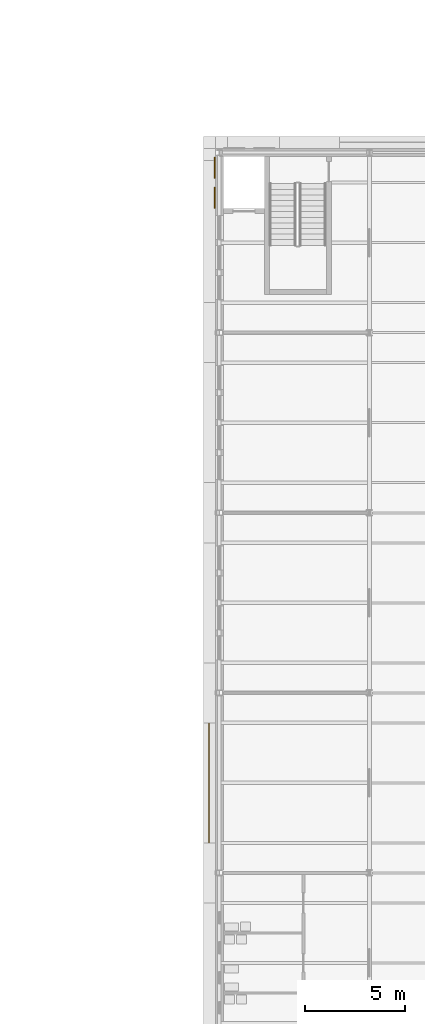
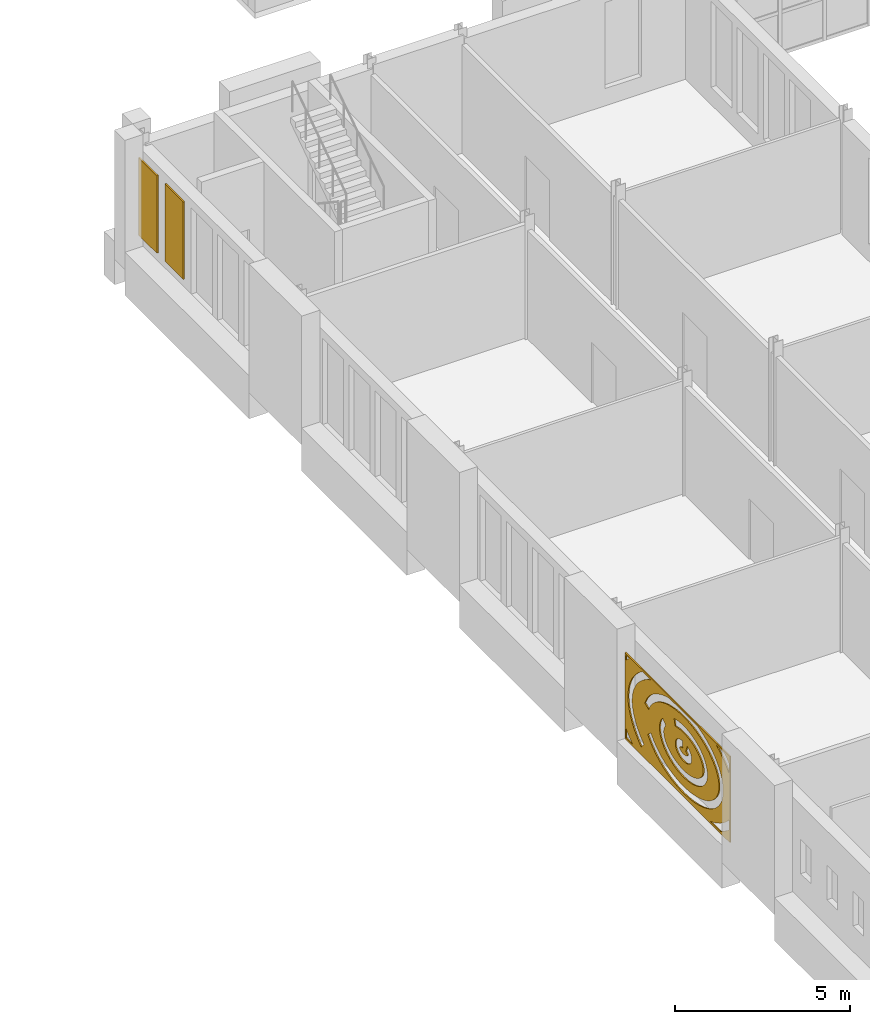
# One storey, part 112 of 134: 3 coverings.
"""IFC4 building model written with IfcOpenShell, lengths in metres."""

from ifc_helpers import new_model, si_unit, direction, frame, origin, place, context, subcontext, project, spatial, polyline, outline, extrude, material, layer, layer_set, type_object, element, save


model = new_model("IFC4")

# Units and contexts
model_context = context("Model", 3, precision=1e-05, world=origin(), true_north=direction((0.0, 1.0)))
body_context = subcontext(model_context, "Body", "Model", "MODEL_VIEW")
ifc_project = project(units=[si_unit("LENGTHUNIT", "METRE"), si_unit("AREAUNIT", "SQUARE_METRE"), si_unit("VOLUMEUNIT", "CUBIC_METRE"), si_unit("PLANEANGLEUNIT", "RADIAN"), si_unit("MASSUNIT", "GRAM", prefix="KILO")], contexts=[model_context])

# Site, building, storey
site_placement = place(None, origin())
site = spatial("IfcSite", under=ifc_project, at=site_placement, CompositionType="ELEMENT")
building_placement = place(site_placement, origin())
building = spatial("IfcBuilding", under=site, at=building_placement, Name="Golden Quay Civic Hall", CompositionType="ELEMENT")
storey_placement = place(building_placement, frame((0.0, 0.0, 5.39990234375)))
storey = spatial("IfcBuildingStorey", under=building, at=storey_placement, Name="L01", CompositionType="ELEMENT", Elevation=5.39990234375)

# Coverings
ifc_material_1 = material(Name="Aluminium, golden anodised, perforated", Category="aluminium")
ifc_layer_1 = layer(ifc_material_1, 0.0400390625)
ifc_layer_set_1 = layer_set([ifc_layer_1], Name="Perforated screen panel 6000 x 3000 x 40")
covering_type_1 = type_object("IfcCoveringType", Name="Perforated screen panel 6000 x 3000 x 40", PredefinedType="CLADDING", material=ifc_layer_set_1)
covering_1_placement = place(storey_placement, frame((53.5, 22.5, 2.10009765625), z_axis=(-1.0, 0.0, 0.0), x_axis=(0.0, -1.0, 0.0)))
element("IfcCovering", 1, at=covering_1_placement, inside=storey, type_object=covering_type_1, Name="Perforated screen panel 6000 x 3000 x 40 L01 7", PredefinedType="CLADDING", context=body_context, shape_type="SweptSolid", body=[
    extrude(outline(polyline([(-3.0, -1.5), (3.0, -1.5), (3.0, 1.5), (-3.0, 1.5), (-3.0, -1.5)]), holes=[polyline([(0.258056640625, 0.16650390625), (0.1943359375, 0.14599609375), (0.162109375, 0.12841796875), (0.139404296875, 0.110595703125), (0.126708984375, 0.095458984375), (0.120849609375, 0.080078125), (0.1259765625, 0.065673828125), (0.1376953125, 0.051025390625), (0.174072265625, 0.0244140625), (0.210205078125, 0.007568359375), (0.277587890625, -0.010498046875), (0.327880859375, -0.015869140625), (0.379150390625, -0.015380859375), (0.45263671875, -0.004150390625), (0.495361328125, 0.009765625), (0.544189453125, 0.035888671875), (0.564453125, 0.05322265625), (0.574951171875, 0.0673828125), (0.5791015625, 0.07861328125), (0.57568359375, 0.09130859375), (0.55810546875, 0.11279296875), (0.5341796875, 0.130859375), (0.4765625, 0.1572265625), (0.562744140625, 0.38232421875), (0.633056640625, 0.351806640625), (0.68798828125, 0.317626953125), (0.742431640625, 0.269287109375), (0.77392578125, 0.22900390625), (0.801513671875, 0.176513671875), (0.816650390625, 0.123291015625), (0.81982421875, 0.064697265625), (0.810302734375, 0.009521484375), (0.797607421875, -0.02587890625), (0.780517578125, -0.05859375), (0.759765625, -0.0888671875), (0.735595703125, -0.1162109375), (0.708984375, -0.14111328125), (0.6572265625, -0.177978515625), (0.581298828125, -0.21533203125), (0.54541015625, -0.22802734375), (0.477294921875, -0.245361328125), (0.3916015625, -0.256103515625), (0.319091796875, -0.256591796875), (0.272705078125, -0.2529296875), (0.2021484375, -0.240966796875), (0.164794921875, -0.231201171875), (0.093505859375, -0.20458984375), (0.0283203125, -0.1689453125), (-0.02880859375, -0.123291015625), (-0.06201171875, -0.085693359375), (-0.093505859375, -0.034912109375), (-0.1123046875, 0.016357421875), (-0.1201171875, 0.074462890625), (-0.115234375, 0.130615234375), (-0.097412109375, 0.186767578125), (-0.0712890625, 0.23291015625), (-0.03271484375, 0.279296875), (0.025390625, 0.326904296875), (0.066162109375, 0.351318359375), (0.135009765625, 0.381591796875), (0.201904296875, 0.40087890625), (0.27978515625, 0.413818359375), (0.310546875, 0.1748046875), (0.258056640625, 0.16650390625)]), polyline([(-0.724609375, 0.27685546875), (-0.746826171875, 0.232421875), (-0.76318359375, 0.187744140625), (-0.773681640625, 0.143310546875), (-0.77880859375, 0.09912109375), (-0.778564453125, 0.05517578125), (-0.772705078125, 0.010986328125), (-0.761474609375, -0.033447265625), (-0.744384765625, -0.078125), (-0.721435546875, -0.122802734375), (-0.6923828125, -0.167236328125), (-0.6572265625, -0.211181640625), (-0.61572265625, -0.254150390625), (-0.568603515625, -0.2958984375), (-0.515380859375, -0.3359375), (-0.456787109375, -0.373779296875), (-0.392822265625, -0.409423828125), (-0.32421875, -0.44189453125), (-0.251220703125, -0.4716796875), (-0.17431640625, -0.497802734375), (-0.093994140625, -0.5205078125), (-0.010986328125, -0.539306640625), (0.07470703125, -0.55419921875), (0.161865234375, -0.565185546875), (0.250244140625, -0.572021484375), (0.339599609375, -0.574462890625), (0.4287109375, -0.572998046875), (0.517333984375, -0.567138671875), (0.60498046875, -0.55712890625), (0.69091796875, -0.543212890625), (0.774658203125, -0.525146484375), (0.855712890625, -0.50341796875), (0.933349609375, -0.47802734375), (1.00732421875, -0.44921875), (1.0771484375, -0.417236328125), (1.14208984375, -0.382568359375), (1.201904296875, -0.34521484375), (1.256591796875, -0.305419921875), (1.30517578125, -0.26416015625), (1.347900390625, -0.221435546875), (1.384521484375, -0.177490234375), (1.4150390625, -0.13330078125), (1.439453125, -0.088623046875), (1.4580078125, -0.0439453125), (1.470458984375, 0.00048828125), (1.4775390625, 0.044677734375), (1.479248046875, 0.0888671875), (1.475341796875, 0.1328125), (1.46630859375, 0.17724609375), (1.451171875, 0.2216796875), (1.430419921875, 0.266357421875), (1.40380859375, 0.310791015625), (1.370849609375, 0.35498046875), (1.331787109375, 0.3984375), (1.28662109375, 0.44091796875), (1.235595703125, 0.4814453125), (1.178955078125, 0.520263671875), (1.116943359375, 0.556640625), (1.0498046875, 0.59033203125), (0.978515625, 0.62109375), (0.90283203125, 0.648681640625), (0.82373046875, 0.672607421875), (0.74169921875, 0.69287109375), (0.656982421875, 0.709228515625), (0.5703125, 0.7216796875), (0.482177734375, 0.72998046875), (0.393310546875, 0.73388671875), (0.303955078125, 0.73388671875), (0.215087890625, 0.729736328125), (0.126953125, 0.72119140625), (0.040283203125, 0.708740234375), (-0.044189453125, 0.692138671875), (-0.12939453125, 0.671142578125), (-0.1875, 0.90478515625), (-0.093505859375, 0.927978515625), (0.0029296875, 0.94677734375), (0.101318359375, 0.960693359375), (0.195068359375, 0.9697265625), (0.29541015625, 0.974609375), (0.39599609375, 0.974853515625), (0.49609375, 0.970458984375), (0.595703125, 0.961181640625), (0.69970703125, 0.9462890625), (0.790283203125, 0.9287109375), (0.884521484375, 0.90576171875), (0.975830078125, 0.878173828125), (1.0703125, 0.84375), (1.1484375, 0.810302734375), (1.228759765625, 0.77001953125), (1.304443359375, 0.725830078125), (1.375244140625, 0.677978515625), (1.4404296875, 0.626220703125), (1.50732421875, 0.5634765625), (1.560546875, 0.50341796875), (1.600341796875, 0.4501953125), (1.64013671875, 0.385009765625), (1.672607421875, 0.317138671875), (1.700439453125, 0.2333984375), (1.71484375, 0.16064453125), (1.72021484375, 0.08740234375), (1.716552734375, 0.013916015625), (1.7041015625, -0.05859375), (1.68310546875, -0.129638671875), (1.65966796875, -0.1865234375), (1.62353515625, -0.254150390625), (1.572998046875, -0.327880859375), (1.522216796875, -0.387939453125), (1.46484375, -0.444580078125), (1.408935546875, -0.4921875), (1.333251953125, -0.54736328125), (1.259521484375, -0.593017578125), (1.1875, -0.63134765625), (1.09814453125, -0.672607421875), (1.011474609375, -0.7060546875), (0.921142578125, -0.7353515625), (0.833984375, -0.7587890625), (0.732666015625, -0.780517578125), (0.635009765625, -0.796142578125), (0.54150390625, -0.806884765625), (0.435791015625, -0.813720703125), (0.341064453125, -0.8154296875), (0.240478515625, -0.8125), (0.135009765625, -0.804443359375), (0.041748046875, -0.79296875), (-0.055419921875, -0.776123046875), (-0.150390625, -0.754638671875), (-0.242919921875, -0.728759765625), (-0.33837890625, -0.696044921875), (-0.41796875, -0.6640625), (-0.499755859375, -0.625244140625), (-0.583984375, -0.578369140625), (-0.64990234375, -0.535888671875), (-0.71728515625, -0.485595703125), (-0.7861328125, -0.424560546875), (-0.834716796875, -0.3740234375), (-0.884033203125, -0.313232421875), (-0.9326171875, -0.23828125), (-0.961669921875, -0.182373046875), (-0.989013671875, -0.113037109375), (-1.010498046875, -0.027587890625), (-1.018310546875, 0.031005859375), (-1.019775390625, 0.1044921875), (-1.009765625, 0.192138671875), (-0.99169921875, 0.263916015625), (-0.970703125, 0.3212890625), (-0.931396484375, 0.400634765625), (-0.889892578125, 0.465087890625), (-0.8486328125, 0.51806640625), (-0.65869140625, 0.36962890625), (-0.696533203125, 0.3212890625), (-0.724609375, 0.27685546875)]), polyline([(-1.382568359375, -0.546630859375), (-1.3115234375, -0.611572265625), (-1.2333984375, -0.673828125), (-1.1484375, -0.7333984375), (-1.05712890625, -0.789794921875), (-0.959716796875, -0.843017578125), (-0.856201171875, -0.89208984375), (-0.747802734375, -0.937255859375), (-0.634521484375, -0.978271484375), (-0.51708984375, -1.0146484375), (-0.3955078125, -1.04638671875), (-0.27099609375, -1.073486328125), (-0.143798828125, -1.095703125), (-0.014404296875, -1.112548828125), (0.11669921875, -1.12451171875), (0.248779296875, -1.131103515625), (0.38134765625, -1.13232421875), (0.513671875, -1.12841796875), (0.645263671875, -1.119384765625), (0.775634765625, -1.105224609375), (0.904052734375, -1.085693359375), (1.0302734375, -1.061279296875), (1.1533203125, -1.031982421875), (1.27294921875, -0.998046875), (1.388671875, -0.95947265625), (1.499755859375, -0.91650390625), (1.605712890625, -0.869384765625), (1.706298828125, -0.818359375), (1.801025390625, -0.763671875), (1.889404296875, -0.705810546875), (1.97119140625, -0.644775390625), (2.0458984375, -0.581298828125), (2.113525390625, -0.51513671875), (2.173583984375, -0.447509765625), (2.22607421875, -0.3779296875), (2.270751953125, -0.307373046875), (2.3076171875, -0.236083984375), (2.3369140625, -0.163818359375), (2.3583984375, -0.091552734375), (2.37255859375, -0.018798828125), (2.37890625, 0.0537109375), (2.3779296875, 0.12646484375), (2.369384765625, 0.19921875), (2.353271484375, 0.271728515625), (2.32958984375, 0.343994140625), (2.298095703125, 0.416015625), (2.259033203125, 0.4873046875), (2.212158203125, 0.5576171875), (2.157470703125, 0.62646484375), (2.095458984375, 0.69384765625), (2.02587890625, 0.75927734375), (1.94921875, 0.822021484375), (1.865478515625, 0.882080078125), (1.775146484375, 0.939208984375), (1.6787109375, 0.992919921875), (1.57666015625, 1.04296875), (1.468994140625, 1.0888671875), (1.356689453125, 1.130615234375), (1.239990234375, 1.168212890625), (1.119384765625, 1.20068359375), (0.995361328125, 1.228759765625), (0.868408203125, 1.251708984375), (0.739501953125, 1.269775390625), (0.608642578125, 1.282470703125), (0.476806640625, 1.2900390625), (0.34423828125, 1.29248046875), (0.2119140625, 1.289794921875), (0.080078125, 1.281494140625), (-0.05078125, 1.268310546875), (-0.1796875, 1.25), (-0.30615234375, 1.2265625), (-0.429931640625, 1.197998046875), (-0.55029296875, 1.1650390625), (-0.666748046875, 1.127197265625), (-0.77880859375, 1.085205078125), (-0.8857421875, 1.038818359375), (-0.9873046875, 0.988525390625), (-1.083251953125, 0.9345703125), (-1.173095703125, 0.877197265625), (-1.256103515625, 0.816650390625), (-1.33203125, 0.753662109375), (-1.401123046875, 0.68798828125), (-1.462646484375, 0.62060546875), (-1.5166015625, 0.551513671875), (-1.562744140625, 0.481201171875), (-1.60107421875, 0.409912109375), (-1.634033203125, 0.33251953125), (-1.855712890625, 0.42724609375), (-1.81591796875, 0.519287109375), (-1.766845703125, 0.60888671875), (-1.70947265625, 0.69580078125), (-1.649658203125, 0.7724609375), (-1.576171875, 0.853515625), (-1.4951171875, 0.930908203125), (-1.40673828125, 1.004638671875), (-1.311767578125, 1.07421875), (-1.210205078125, 1.13916015625), (-1.102783203125, 1.199951171875), (-0.98974609375, 1.256103515625), (-0.87158203125, 1.307373046875), (-0.748779296875, 1.353759765625), (-0.6220703125, 1.39501953125), (-0.452880859375, 1.43994140625), (1.153564453125, 1.43994140625), (1.310791015625, 1.398193359375), (1.432861328125, 1.359375), (1.555908203125, 1.313720703125), (1.67431640625, 1.26318359375), (1.78759765625, 1.2080078125), (1.895263671875, 1.148193359375), (1.997314453125, 1.083984375), (2.0927734375, 1.015380859375), (2.181640625, 0.94287109375), (2.269287109375, 0.8603515625), (2.337646484375, 0.78662109375), (2.404052734375, 0.703125), (2.46240234375, 0.61669921875), (2.511962890625, 0.527099609375), (2.556640625, 0.424560546875), (2.583984375, 0.34130859375), (2.605712890625, 0.245361328125), (2.61865234375, 0.13623046875), (2.619384765625, 0.038818359375), (2.610107421875, -0.058349609375), (2.591064453125, -0.154541015625), (2.566162109375, -0.23828125), (2.52880859375, -0.331787109375), (2.47705078125, -0.431884765625), (2.421142578125, -0.519287109375), (2.36279296875, -0.596435546875), (2.284912109375, -0.6845703125), (2.205078125, -0.761962890625), (2.118408203125, -0.835693359375), (2.030517578125, -0.90087890625), (1.92431640625, -0.970703125), (1.818115234375, -1.03173828125), (1.706298828125, -1.08837890625), (1.5947265625, -1.1376953125), (1.467529296875, -1.18701171875), (1.341552734375, -1.22900390625), (1.216796875, -1.264404296875), (1.07861328125, -1.29736328125), (0.9423828125, -1.323486328125), (0.80908203125, -1.34375), (0.664306640625, -1.359619140625), (0.52294921875, -1.369140625), (0.385986328125, -1.373291015625), (0.239013671875, -1.37158203125), (0.102294921875, -1.36474609375), (-0.038330078125, -1.352294921875), (-0.182373046875, -1.33349609375), (-0.314697265625, -1.310546875), (-0.44921875, -1.281494140625), (-0.585693359375, -1.24560546875), (-0.70849609375, -1.20751953125), (-0.83251953125, -1.162841796875), (-0.957275390625, -1.11083984375), (-1.066162109375, -1.05908203125), (-1.175048828125, -1.0), (-1.278076171875, -0.9365234375), (-1.375, -0.868896484375), (-1.47119140625, -0.7919921875), (-1.548095703125, -0.7216796875), (-1.623779296875, -0.64208984375), (-1.69189453125, -0.5595703125), (-1.505126953125, -0.4072265625), (-1.446044921875, -0.4794921875), (-1.382568359375, -0.546630859375)]), polyline([(1.931396484375, -1.407958984375), (2.066162109375, -1.35205078125), (2.19580078125, -1.291748046875), (2.3193359375, -1.22705078125), (2.436767578125, -1.15869140625), (2.547607421875, -1.086669921875), (2.6513671875, -1.010986328125), (2.747802734375, -0.932373046875), (2.8369140625, -0.85107421875), (2.93994140625, -0.741455078125), (2.93994140625, -1.083251953125), (2.80078125, -1.199951171875), (2.681640625, -1.28662109375), (2.560791015625, -1.365234375), (2.43212890625, -1.43994140625), (1.843994140625, -1.43994140625), (1.931396484375, -1.407958984375)]), polyline([(2.88818359375, 0.958984375), (2.80419921875, 1.042236328125), (2.712158203125, 1.12255859375), (2.61279296875, 1.199951171875), (2.50634765625, 1.2744140625), (2.39306640625, 1.34521484375), (2.21728515625, 1.43994140625), (2.68994140625, 1.43994140625), (2.75341796875, 1.395751953125), (2.863037109375, 1.310302734375), (2.93994140625, 1.243408203125), (2.93994140625, 0.9013671875), (2.88818359375, 0.958984375)]), polyline([(-1.6171875, 1.388427734375), (-1.734619140625, 1.320068359375), (-1.845703125, 1.247802734375), (-1.949462890625, 1.172607421875), (-2.046142578125, 1.093994140625), (-2.135498046875, 1.012451171875), (-2.216796875, 0.9287109375), (-2.2900390625, 0.842529296875), (-2.35546875, 0.754638671875), (-2.412353515625, 0.665283203125), (-2.461181640625, 0.574462890625), (-2.50146484375, 0.48291015625), (-2.533203125, 0.390380859375), (-2.556884765625, 0.297607421875), (-2.572021484375, 0.2041015625), (-2.5791015625, 0.11083984375), (-2.57763671875, 0.017333984375), (-2.56787109375, -0.076171875), (-2.5498046875, -0.169189453125), (-2.5234375, -0.261962890625), (-2.488525390625, -0.354248046875), (-2.4453125, -0.445556640625), (-2.393798828125, -0.535888671875), (-2.333984375, -0.625), (-2.26611328125, -0.712158203125), (-2.189697265625, -0.797607421875), (-2.105712890625, -0.880615234375), (-2.013916015625, -0.961181640625), (-1.912353515625, -1.04052734375), (-2.060546875, -1.23046875), (-2.17041015625, -1.14453125), (-2.2724609375, -1.054443359375), (-2.366943359375, -0.960693359375), (-2.45361328125, -0.863525390625), (-2.526611328125, -0.769775390625), (-2.59619140625, -0.666748046875), (-2.656982421875, -0.56103515625), (-2.70849609375, -0.45263671875), (-2.75048828125, -0.34228515625), (-2.782958984375, -0.230224609375), (-2.806884765625, -0.106201171875), (-2.818359375, 0.00830078125), (-2.819580078125, 0.123291015625), (-2.810791015625, 0.23779296875), (-2.793701171875, 0.34130859375), (-2.765625, 0.45458984375), (-2.7275390625, 0.566162109375), (-2.6796875, 0.67578125), (-2.617919921875, 0.791015625), (-2.551513671875, 0.894775390625), (-2.47607421875, 0.995849609375), (-2.392333984375, 1.093505859375), (-2.300537109375, 1.18798828125), (-2.2060546875, 1.274169921875), (-2.098876953125, 1.361572265625), (-1.9912109375, 1.43994140625), (-1.51806640625, 1.43994140625), (-1.6171875, 1.388427734375)]), polyline([(-2.8173828125, 1.384033203125), (-2.91796875, 1.289306640625), (-2.93994140625, 1.26611328125), (-2.93994140625, 1.43994140625), (-2.751708984375, 1.43994140625), (-2.8173828125, 1.384033203125)]), polyline([(-2.93994140625, -1.10595703125), (-2.81689453125, -1.224609375), (-2.708740234375, -1.316650390625), (-2.543701171875, -1.43994140625), (-2.935302734375, -1.43994140625), (-2.93994140625, -1.43603515625), (-2.93994140625, -1.10595703125)])]), origin(), (0.0, 0.0, 1.0), 0.0400390625),
])
ifc_material_2 = material(Name="Terracotta cladding, golden glaze", Category="masonry")
ifc_layer_2 = layer(ifc_material_2, 0.050048828125)
ifc_layer_set_2 = layer_set([ifc_layer_2], Name="Terracotta solid panel 1050 x 2700 x 50")
covering_type_2 = type_object("IfcCoveringType", Name="Terracotta solid panel 1050 x 2700 x 50", PredefinedType="CLADDING", material=ifc_layer_set_2)
covering_2_placement = place(storey_placement, frame((0.0, 0.0, 0.900146484375)))
element("IfcCovering", 2, at=covering_2_placement, inside=storey, type_object=covering_type_2, Name="Terracotta solid panel 1050 x 2700 x 50 L01 18", PredefinedType="CLADDING", context=body_context, shape_type="SweptSolid", body=[
    extrude(outline(polyline([(53.800048828125, 51.22509765625), (53.800048828125, 52.27490234375), (53.75, 52.27490234375), (53.75, 51.22509765625), (53.800048828125, 51.22509765625)])), origin(), (0.0, 0.0, 1.0), 2.699951171875),
])
covering_3_placement = place(storey_placement, frame((0.0, 0.0, 0.900146484375)))
element("IfcCovering", 3, at=covering_3_placement, inside=storey, type_object=covering_type_2, Name="Terracotta solid panel 1050 x 2700 x 50 L01 19", PredefinedType="CLADDING", context=body_context, shape_type="SweptSolid", body=[
    extrude(outline(polyline([(53.800048828125, 52.72509765625), (53.800048828125, 53.77490234375), (53.75, 53.77490234375), (53.75, 52.72509765625), (53.800048828125, 52.72509765625)])), origin(), (0.0, 0.0, 1.0), 2.699951171875),
])

save(model, "model.ifc")
